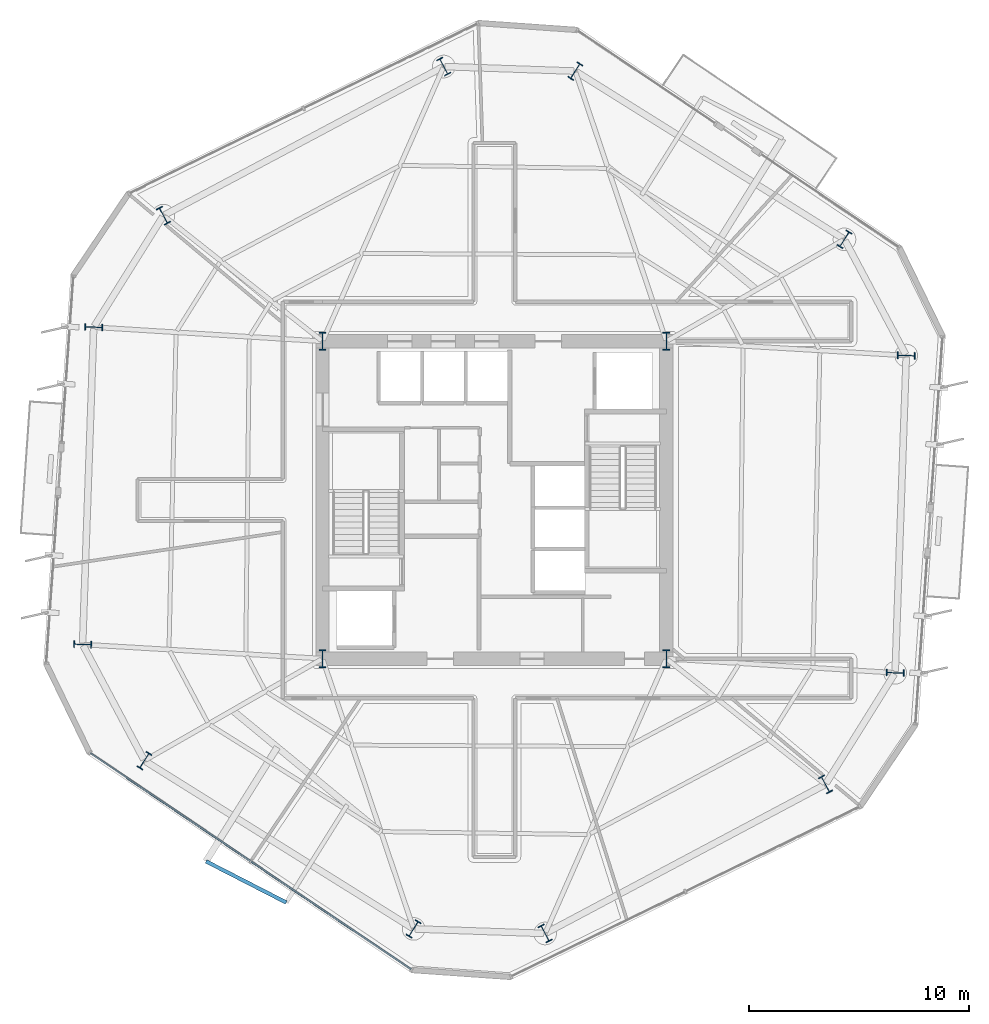
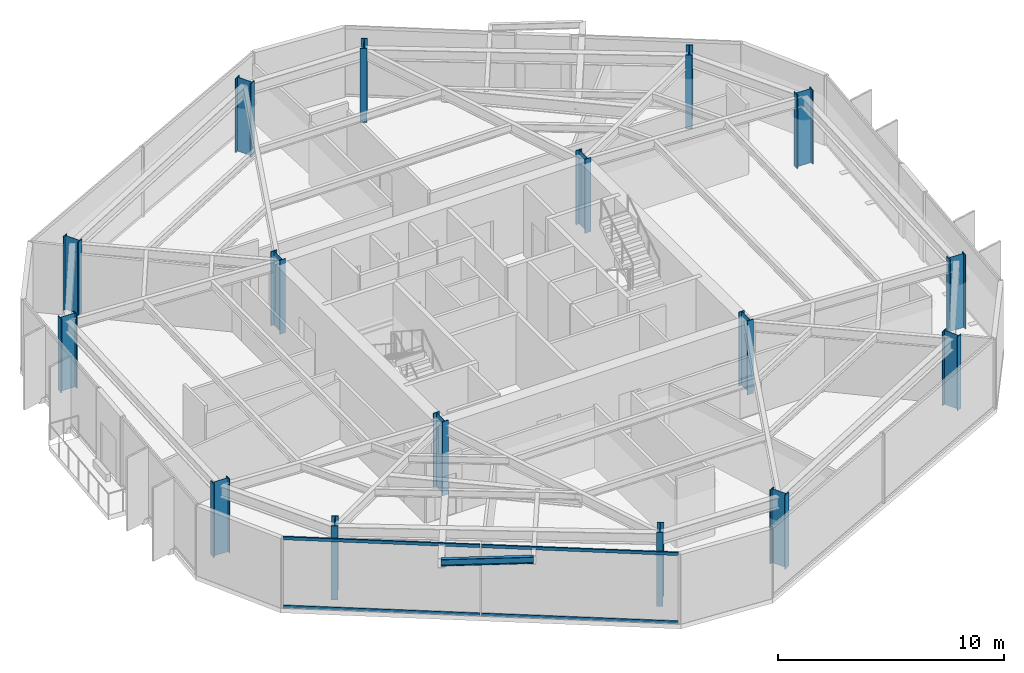
# One storey, part 1 of 14: 16 columns, 4 members, 1 beam, 1 element without a shape of its own.
"""IFC4 building model written with IfcOpenShell, lengths in metres."""

from ifc_helpers import new_model, si_unit, direction, frame, origin, origin_2d, place, context, subcontext, project, spatial, rectangle, i_section, extrude, material, layer, layer_set, material_profile, profile_set, type_object, element, aggregate, save


model = new_model("IFC4")

# Units and contexts
model_context = context("Model", 3, precision=1e-05, world=origin(), true_north=direction((0.0, 1.0)))
body_context = subcontext(model_context, "Body", "Model", "MODEL_VIEW")
ifc_project = project(units=[si_unit("LENGTHUNIT", "METRE"), si_unit("AREAUNIT", "SQUARE_METRE"), si_unit("VOLUMEUNIT", "CUBIC_METRE"), si_unit("PLANEANGLEUNIT", "RADIAN"), si_unit("MASSUNIT", "GRAM", prefix="KILO")], contexts=[model_context])

# Site, building, storey
site_placement = place(None, origin())
site = spatial("IfcSite", under=ifc_project, at=site_placement, CompositionType="ELEMENT")
building_placement = place(site_placement, origin())
building = spatial("IfcBuilding", under=site, at=building_placement, Name="Kranzbogen Civic Tower", CompositionType="ELEMENT")
storey_placement = place(building_placement, frame((0.0, 0.0, 126.39990234375)))
storey = spatial("IfcBuildingStorey", under=building, at=storey_placement, Name="L30", CompositionType="ELEMENT", Elevation=126.39990234375)

# Columns
ifc_material_1 = material(Name="Steel S460", Category="steel")
ifc_material_profile_1 = material_profile(ifc_material_1, i_section(OverallWidth=0.302978515625, OverallDepth=0.81396484375, WebThickness=0.02099609375, FlangeThickness=0.0400390625, at=origin_2d()), Name="HEM 800")
ifc_profile_set_1 = profile_set([ifc_material_profile_1], Name="Steel S460")
column_type = type_object("IfcColumnType", Name="Structural Column HEM 800", PredefinedType="COLUMN", material=ifc_profile_set_1)
for number, where, z_axis, x_axis, name in (
    (1, (17.199951171875, 17.800048828125, 0.0), (0.0, 0.0, 1.0), (1.0, 0.0, 0.0), "L30 composite core corner column 1"),
    (2, (32.800048828125, 17.800048828125, 0.0), (0.0, 0.0, 1.0), (1.0, 0.0, 0.0), "L30 composite core corner column 2"),
    (3, (32.800048828125, 32.199951171875, 0.0), (0.0, 0.0, 1.0), (1.0, 0.0, 0.0), "L30 composite core corner column 3"),
    (4, (17.199951171875, 32.199951171875, 0.0), (0.0, 0.0, 1.0), (1.0, 0.0, 0.0), "L30 composite core corner column 4"),
    (5, (40.885986328125, 36.8291015625, 0.0), (0.0, 0.0, 1.0), (-0.848048096156, 0.529919264233, 0.0), "L30 tower perimeter tube column 01"),
    (6, (28.66796875, 44.464111328125, 0.0), (0.0, 0.0, 1.0), (-0.848048096156, 0.529919264233, 0.0), "L30 tower perimeter tube column 02"),
    (7, (22.698974609375, 44.672119140625, 0.0), (0.0, 0.0, 1.0), (0.882947592859, 0.469471562786, 0.0), "L30 tower perimeter tube column 03"),
    (8, (9.97705078125, 37.907958984375, 0.0), (0.0, 0.0, 1.0), (0.882947592859, 0.469471562786, 0.0), "L30 tower perimeter tube column 04"),
    (9, (6.81298828125, 32.843994140625, 0.0), (0.0, 0.0, 1.0), (0.034899496703, 0.999390827019, 0.0), "L30 tower perimeter tube column 05"),
    (10, (6.31005859375, 18.444091796875, 0.0), (0.0, 0.0, 1.0), (0.034899496703, 0.999390827019, 0.0), "L30 tower perimeter tube column 06"),
    (11, (9.114013671875, 13.1708984375, 0.0), (0.0, 0.0, 1.0), (-0.848048096156, 0.529919264233, 0.0), "L30 tower perimeter tube column 07"),
    (12, (21.33203125, 5.535888671875, 0.0), (0.0, 0.0, 1.0), (-0.848048096156, 0.529919264233, 0.0), "L30 tower perimeter tube column 08"),
    (13, (27.301025390625, 5.327880859375, 0.0), (0.0, 0.0, 1.0), (0.882947592859, 0.469471562786, 0.0), "L30 tower perimeter tube column 09"),
    (14, (40.02294921875, 12.092041015625, 0.0), (0.0, 0.0, 1.0), (0.882947592859, 0.469471562786, 0.0), "L30 tower perimeter tube column 10"),
    (15, (43.18701171875, 17.156005859375, 0.0), (0.0, 0.0, 1.0), (0.034899496703, 0.999390827019, 0.0), "L30 tower perimeter tube column 11"),
    (16, (43.68994140625, 31.555908203125, 0.0), (0.0, 0.0, 1.0), (0.034899496703, 0.999390827019, 0.0), "L30 tower perimeter tube column 12"),
):
    element("IfcColumn", number, at=place(storey_placement, frame(where, z_axis=z_axis, x_axis=x_axis)), inside=storey, type_object=column_type, Name=name, PredefinedType="COLUMN", context=body_context, shape_type="SweptSolid", body=[
        extrude(i_section(OverallWidth=0.302978515625, OverallDepth=0.81396484375, WebThickness=0.02099609375, FlangeThickness=0.0400390625, at=origin_2d()), origin(), (0.0, 0.0, 1.0), 4.0),
    ])

# Curtain wall, members
ifc_material_2 = material(Name="Pale Anodised Aluminium", Category="aluminium")
ifc_layer = layer(ifc_material_2, 0.219970703125, Name="Pale Anodised Aluminium")
ifc_layer_set = layer_set([ifc_layer], Name="Pale Anodised Aluminium")
curtain_wall_type = type_object("IfcCurtainWallType", Name="Zone 2 Stick Curtain Wall System CW-03", PredefinedType="USERDEFINED", material=ifc_layer_set)
curtain_wall_placement = place(storey_placement, origin())
curtain_wall = element("IfcCurtainWall", 17, at=curtain_wall_placement, inside=storey, type_object=curtain_wall_type, Name="L30 curtain wall CW-L30-F4", ObjectType="STICK CURTAIN WALL", PredefinedType="USERDEFINED")
ifc_material_profile_2 = material_profile(ifc_material_2, rectangle(XDim=0.074951171875, YDim=0.1650390625, at=origin_2d()), Name="ALU-T 75x165")
ifc_profile_set_2 = profile_set([ifc_material_profile_2], Name="Pale Anodised Aluminium")
member_type = type_object("IfcMemberType", Name="Curtain Wall Transom ALU-T 75x165", PredefinedType="USERDEFINED", material=ifc_profile_set_2)
member_1_placement = place(storey_placement, frame((6.669677734375, 13.514404296875, 0.030029296875), z_axis=(0.829031189601, -0.559202366473, 0.0), x_axis=(0.559202366473, 0.829031189601, 0.0)))
member_1 = element("IfcMember", 18, at=member_1_placement, type_object=member_type, Name="CW-03 transom 1.1", ObjectType="TRANSOM", PredefinedType="USERDEFINED", context=body_context, shape_type="SweptSolid", body=[
    extrude(rectangle(XDim=0.074951171875, YDim=0.1650390625, at=origin_2d()), origin(), (0.0, 0.0, 1.0), 8.743896484375),
])
member_2_placement = place(storey_placement, frame((6.669677734375, 13.514404296875, 3.72998046875), z_axis=(0.829031189601, -0.559202366473, 0.0), x_axis=(0.559202366473, 0.829031189601, 0.0)))
member_2 = element("IfcMember", 19, at=member_2_placement, type_object=member_type, Name="CW-03 transom 1.2", ObjectType="TRANSOM", PredefinedType="USERDEFINED", context=body_context, shape_type="SweptSolid", body=[
    extrude(rectangle(XDim=0.074951171875, YDim=0.1650390625, at=origin_2d()), origin(), (0.0, 0.0, 1.0), 8.743896484375),
])
member_3_placement = place(storey_placement, frame((13.96826171875, 8.59130859375, 0.030029296875), z_axis=(0.829031189601, -0.559202366473, 0.0), x_axis=(0.559202366473, 0.829031189601, 0.0)))
member_3 = element("IfcMember", 20, at=member_3_placement, type_object=member_type, Name="CW-03 transom 2.1", ObjectType="TRANSOM", PredefinedType="USERDEFINED", context=body_context, shape_type="SweptSolid", body=[
    extrude(rectangle(XDim=0.074951171875, YDim=0.1650390625, at=origin_2d()), origin(), (0.0, 0.0, 1.0), 8.743896484375),
])
member_4_placement = place(storey_placement, frame((13.96826171875, 8.59130859375, 3.72998046875), z_axis=(0.829031189601, -0.559202366473, 0.0), x_axis=(0.559202366473, 0.829031189601, 0.0)))
member_4 = element("IfcMember", 21, at=member_4_placement, type_object=member_type, Name="CW-03 transom 2.2", ObjectType="TRANSOM", PredefinedType="USERDEFINED", context=body_context, shape_type="SweptSolid", body=[
    extrude(rectangle(XDim=0.074951171875, YDim=0.1650390625, at=origin_2d()), origin(), (0.0, 0.0, 1.0), 8.743896484375),
])
aggregate(curtain_wall, [member_1, member_2, member_3, member_4])

# Beam
ifc_material_3 = material(Name="Steel S355", Category="steel")
ifc_material_profile_3 = material_profile(ifc_material_3, i_section(OverallWidth=0.169921875, OverallDepth=0.360107421875, WebThickness=0.008056640625, FlangeThickness=0.0126953125, at=origin_2d()), Name="IPE 360")
ifc_profile_set_3 = profile_set([ifc_material_profile_3], Name="Steel S355")
beam_type = type_object("IfcBeamType", Name="Secondary Composite Floor Joist IPE 360", PredefinedType="JOIST", material=ifc_profile_set_3)
beam_placement = place(storey_placement, frame((11.909912109375, 8.60107421875, 3.570068359375), z_axis=(0.889581425754, -0.456776626979, 0.0), x_axis=(0.456776626979, 0.889581425754, 0.0)))
element("IfcBeam", 22, at=beam_placement, inside=storey, type_object=beam_type, Name="L31 terrace outer edge trimmer L31-TB1", PredefinedType="JOIST", context=body_context, shape_type="SweptSolid", body=[
    extrude(i_section(OverallWidth=0.169921875, OverallDepth=0.360107421875, WebThickness=0.008056640625, FlangeThickness=0.0126953125, at=origin_2d()), origin(), (0.0, 0.0, 1.0), 4.09423828125),
])

save(model, "model.ifc")
